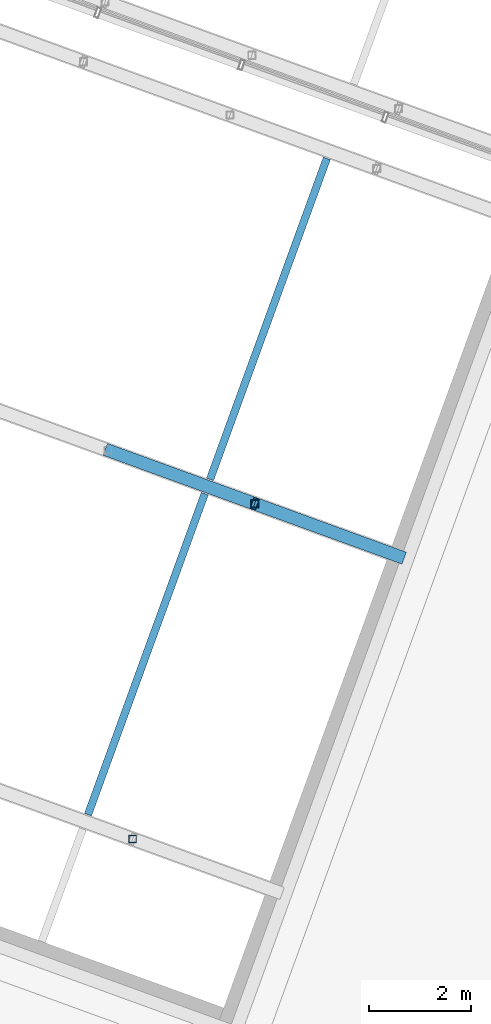
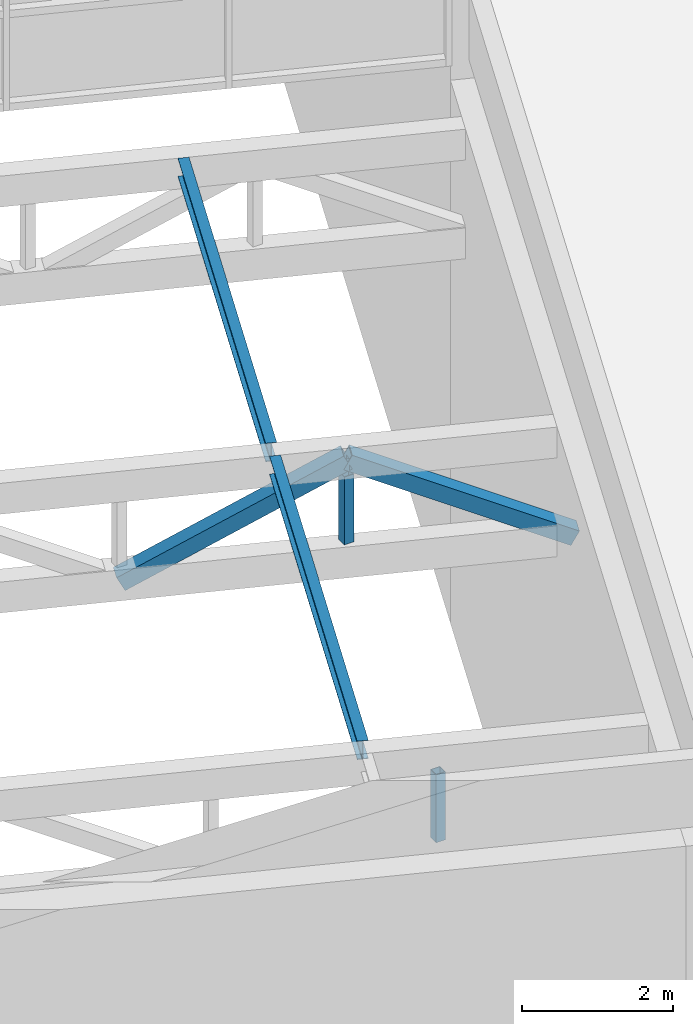
# One storey, part 32 of 72: 6 members.
"""IFC4 building model written with IfcOpenShell, lengths in metres."""

from ifc_helpers import new_model, si_unit, direction, frame, origin, origin_2d, place, context, subcontext, project, spatial, hollow_rectangle, i_section, extrude, material, material_profile, profile_set, type_object, element, save


model = new_model("IFC4")

# Units and contexts
model_context = context("Model", 3, precision=1e-05, world=origin(), true_north=direction((0.0, 1.0)))
body_context = subcontext(model_context, "Body", "Model", "MODEL_VIEW")
ifc_project = project(units=[si_unit("LENGTHUNIT", "METRE"), si_unit("AREAUNIT", "SQUARE_METRE"), si_unit("VOLUMEUNIT", "CUBIC_METRE"), si_unit("PLANEANGLEUNIT", "RADIAN"), si_unit("MASSUNIT", "GRAM", prefix="KILO")], contexts=[model_context])

# Site, building, storey
site_placement = place(None, origin())
site = spatial("IfcSite", under=ifc_project, at=site_placement, CompositionType="ELEMENT")
building_placement = place(site_placement, origin())
building = spatial("IfcBuilding", under=site, at=building_placement, Name="Nzadi Deep Aquarium and Research Tower", CompositionType="ELEMENT")
storey_placement = place(building_placement, frame((0.0, 0.0, 31.89990234375)))
storey = spatial("IfcBuildingStorey", under=building, at=storey_placement, Name="L05", CompositionType="ELEMENT", Elevation=31.89990234375)

# Members
ifc_material_1 = material(Name="Steel S355", Category="steel")
ifc_material_profile_1 = material_profile(ifc_material_1, i_section(OverallWidth=0.14990234375, OverallDepth=0.300048828125, WebThickness=0.007080078125, FlangeThickness=0.0107421875, FilletRadius=0.014892578125, at=origin_2d()))
ifc_profile_set_1 = profile_set([ifc_material_profile_1], Name="Steel S355")
member_type_1 = type_object("IfcMemberType", Name="IPE 300", PredefinedType="PURLIN", material=ifc_profile_set_1)
member_1_placement = place(storey_placement, frame((31.426513671875, 53.44091796875, 8.650146484375), z_axis=(0.342006360223, 0.93969763731, 0.0), x_axis=(-0.93969763731, 0.342006360223, 0.0)))
element("IfcMember", 1, at=member_1_placement, inside=storey, type_object=member_type_1, Name="MB-PR-R1-PU3-2", PredefinedType="PURLIN", context=body_context, shape_type="SweptSolid", body=[
    extrude(i_section(OverallWidth=0.14990234375, OverallDepth=0.300048828125, WebThickness=0.007080078125, FlangeThickness=0.0107421875, FilletRadius=0.014892578125, at=origin_2d()), origin(), (0.0, 0.0, 1.0), 6.7001953125),
])
member_2_placement = place(storey_placement, frame((33.820556640625, 60.018798828125, 8.650146484375), z_axis=(0.342018071111, 0.939693375008, 0.0), x_axis=(-0.939693375008, 0.342018071111, 0.0)))
element("IfcMember", 2, at=member_2_placement, inside=storey, type_object=member_type_1, Name="MB-PR-R1-PU3-3", PredefinedType="PURLIN", context=body_context, shape_type="SweptSolid", body=[
    extrude(i_section(OverallWidth=0.14990234375, OverallDepth=0.300048828125, WebThickness=0.007080078125, FlangeThickness=0.0107421875, FilletRadius=0.014892578125, at=origin_2d()), origin(), (0.0, 0.0, 1.0), 6.699951171875),
])
ifc_material_2 = material(Name="Steel S355", Category="steel")
ifc_material_profile_2 = material_profile(ifc_material_2, hollow_rectangle(XDim=0.14990234375, YDim=0.14990234375, WallThickness=0.008056640625, at=origin_2d()))
ifc_profile_set_2 = profile_set([ifc_material_profile_2], Name="Steel S355")
member_type_2 = type_object("IfcMemberType", Name="RHS 150x150x8 post 2", PredefinedType="POST", material=ifc_profile_set_2)
for number, where, z_axis, x_axis, name in (
    (3, (32.30322265625, 52.96240234375, 7.2001953125), (0.0, 0.0, 1.0), (1.0, 0.0, 0.0), "MB-PR-R1-T1-V7"),
    (4, (34.697265625, 59.5400390625, 7.2001953125), (0.0, 0.0, 1.0), (1.0, 0.0, 0.0), "MB-PR-R1-T2-V7"),
):
    element("IfcMember", number, at=place(storey_placement, frame(where, z_axis=z_axis, x_axis=x_axis)), inside=storey, type_object=member_type_2, Name=name, PredefinedType="POST", context=body_context, shape_type="SweptSolid", body=[
        extrude(hollow_rectangle(XDim=0.14990234375, YDim=0.14990234375, WallThickness=0.008056640625, at=origin_2d()), origin(), (0.0, 0.0, 1.0), 1.099853515625),
    ])
ifc_material_3 = material(Name="Steel S355", Category="steel")
ifc_material_profile_3 = material_profile(ifc_material_3, hollow_rectangle(XDim=0.25, YDim=0.25, WallThickness=0.01611328125, at=origin_2d()))
ifc_profile_set_3 = profile_set([ifc_material_profile_3], Name="Steel S355")
member_type_3 = type_object("IfcMemberType", Name="RHS 250x250x16 brace", PredefinedType="BRACE", material=ifc_profile_set_3)
member_3_placement = place(storey_placement, frame((31.8193359375, 60.587646484375, 6.9501953125), z_axis=(0.832889250835, -0.30318355746, 0.463006723848), x_axis=(0.342056666941, 0.939679326473, 0.0)))
element("IfcMember", 5, at=member_3_placement, inside=storey, type_object=member_type_3, Name="MB-PR-R1-T2-D7", PredefinedType="BRACE", context=body_context, shape_type="SweptSolid", body=[
    extrude(hollow_rectangle(XDim=0.25, YDim=0.25, WallThickness=0.01611328125, at=origin_2d()), origin(), (0.0, 0.0, 1.0), 3.455322265625),
])
member_4_placement = place(storey_placement, frame((34.697265625, 59.5400390625, 8.550048828125), z_axis=(0.832885449393, -0.303137234062, -0.463043891564), x_axis=(0.342011896186, 0.939695622458, 0.0)))
element("IfcMember", 6, at=member_4_placement, inside=storey, type_object=member_type_3, Name="MB-PR-R1-T2-D8", PredefinedType="BRACE", context=body_context, shape_type="SweptSolid", body=[
    extrude(hollow_rectangle(XDim=0.25, YDim=0.25, WallThickness=0.01611328125, at=origin_2d()), origin(), (0.0, 0.0, 1.0), 3.455078125),
])

save(model, "model.ifc")
